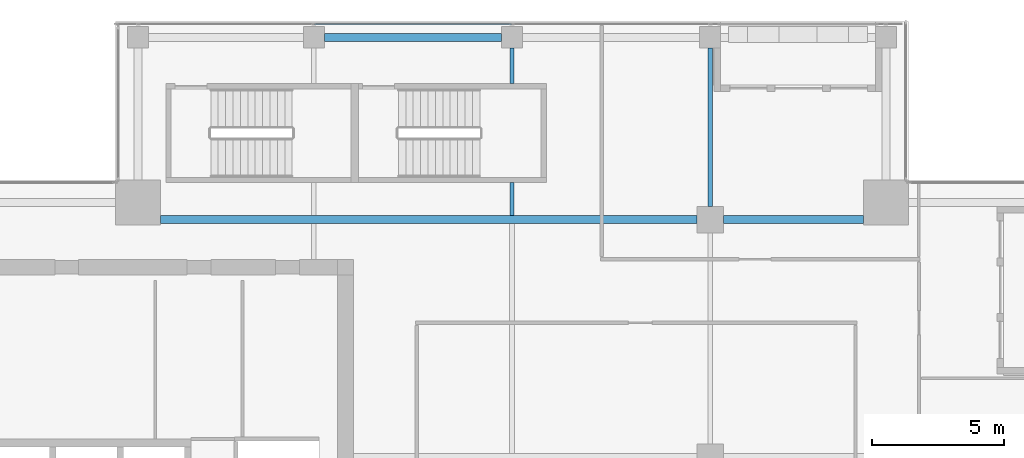
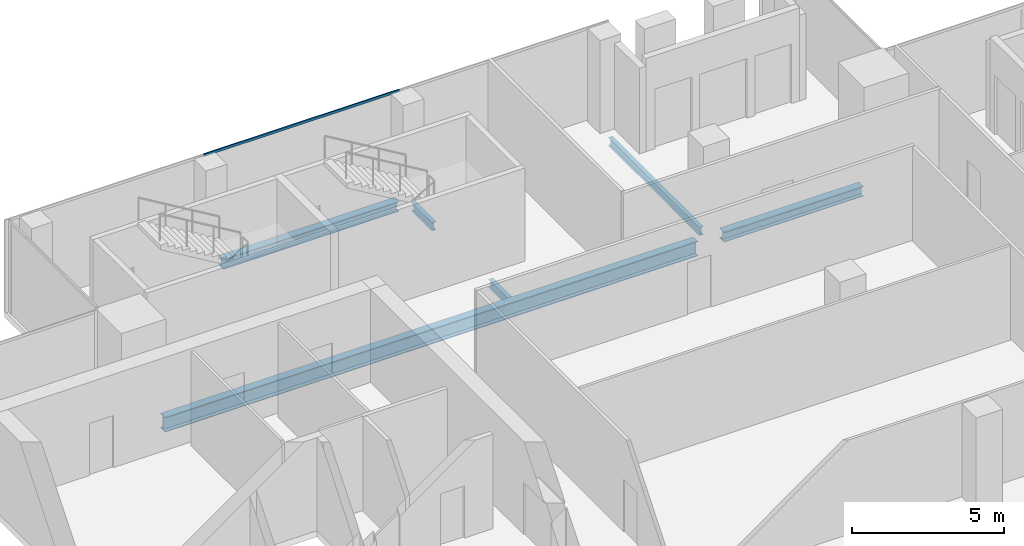
# One storey, part 14 of 28: 6 beams, 1 member, 1 element without a shape of its own.
"""IFC4 building model written with IfcOpenShell, lengths in metres."""

from ifc_helpers import new_model, si_unit, direction, frame, origin, origin_2d, place, context, subcontext, project, spatial, hollow_rectangle, i_section, extrude, source, transform, mapped, material, material_profile, profile_set, type_object, element, aggregate, save


model = new_model("IFC4")

# Units and contexts
model_context = context("Model", 3, precision=1e-05, world=origin(), true_north=direction((0.0, 1.0)))
body_context = subcontext(model_context, "Body", "Model", "MODEL_VIEW")
ifc_project = project(units=[si_unit("LENGTHUNIT", "METRE"), si_unit("AREAUNIT", "SQUARE_METRE"), si_unit("VOLUMEUNIT", "CUBIC_METRE"), si_unit("PLANEANGLEUNIT", "RADIAN"), si_unit("MASSUNIT", "GRAM", prefix="KILO")], contexts=[model_context])

# Site, building, storey
site_placement = place(None, origin())
site = spatial("IfcSite", under=ifc_project, at=site_placement, CompositionType="ELEMENT")
building_placement = place(site_placement, origin())
building = spatial("IfcBuilding", under=site, at=building_placement, Name="Khomas Fold Tower", CompositionType="ELEMENT")
storey_placement = place(building_placement, frame((0.0, 0.0, 302.199951171875)))
storey = spatial("IfcBuildingStorey", under=building, at=storey_placement, Name="L68", CompositionType="ELEMENT", Elevation=302.199951171875)

# Beams
ifc_material_1 = material(Name="Steel S355", Category="steel")
ifc_material_profile_1 = material_profile(ifc_material_1, i_section(OverallWidth=0.159912109375, OverallDepth=0.330078125, WebThickness=0.007568359375, FlangeThickness=0.011474609375, at=origin_2d()), Name="IPE 330")
ifc_profile_set_1 = profile_set([ifc_material_profile_1], Name="Steel S355")
beam_type_1 = type_object("IfcBeamType", Name="IPE 330 beam JB1", PredefinedType="BEAM", material=ifc_profile_set_1)
shared_shape_1 = source(origin(), body_context, "Body", "SweptSolid", [
    extrude(i_section(OverallWidth=0.159912109375, OverallDepth=0.330078125, WebThickness=0.007568359375, FlangeThickness=0.011474609375, at=origin_2d()), origin(), (0.0, 0.0, 1.0), 1.25),
])
beam_1_placement = place(storey_placement, frame((27.0, 40.64990234375, -0.4150390625), z_axis=(0.0, 1.0, 0.0), x_axis=(-1.0, 0.0, 0.0)))
element("IfcBeam", 1, at=beam_1_placement, inside=storey, type_object=beam_type_1, Name="JB1", PredefinedType="BEAM", context=body_context, shape_type="MappedRepresentation", body=[
    mapped(shared_shape_1, transform((0.0, 0.0, 0.0))),
])
shared_shape_2 = source(origin(), body_context, "Body", "SweptSolid", [
    extrude(i_section(OverallWidth=0.159912109375, OverallDepth=0.330078125, WebThickness=0.007568359375, FlangeThickness=0.011474609375, at=origin_2d()), origin(), (0.0, 0.0, 1.0), 1.35009765625),
])
beam_2_placement = place(storey_placement, frame((27.0, 45.64990234375, -0.4150390625), z_axis=(0.0, 1.0, 0.0), x_axis=(-1.0, 0.0, 0.0)))
element("IfcBeam", 2, at=beam_2_placement, inside=storey, type_object=beam_type_1, Name="JB1", PredefinedType="BEAM", context=body_context, shape_type="MappedRepresentation", body=[
    mapped(shared_shape_2, transform((0.0, 0.0, 0.0))),
])
ifc_material_2 = material(Name="Steel S355", Category="steel")
ifc_material_profile_2 = material_profile(ifc_material_2, i_section(OverallWidth=0.300048828125, OverallDepth=0.39990234375, WebThickness=0.013427734375, FlangeThickness=0.02392578125, at=origin_2d()), Name="HE 400 B")
ifc_profile_set_2 = profile_set([ifc_material_profile_2], Name="Steel S355")
beam_type_2 = type_object("IfcBeamType", Name="HE 400 B spandrel SB5", PredefinedType="SPANDREL", material=ifc_profile_set_2)
shared_shape_3 = source(origin(), body_context, "Body", "SweptSolid", [
    extrude(i_section(OverallWidth=0.300048828125, OverallDepth=0.39990234375, WebThickness=0.013427734375, FlangeThickness=0.02392578125, at=origin_2d()), origin(), (0.0, 0.0, 1.0), 6.7001953125),
])
beam_3_placement = place(storey_placement, frame((19.89990234375, 47.39990234375, -0.449951171875), z_axis=(1.0, 0.0, 0.0), x_axis=(0.0, 1.0, 0.0)))
element("IfcBeam", 3, at=beam_3_placement, inside=storey, type_object=beam_type_2, Name="SB5", PredefinedType="SPANDREL", context=body_context, shape_type="MappedRepresentation", body=[
    mapped(shared_shape_3, transform((0.0, 0.0, 0.0))),
])
ifc_material_3 = material(Name="Steel S355", Category="steel")
ifc_material_profile_3 = material_profile(ifc_material_3, i_section(OverallWidth=0.300048828125, OverallDepth=0.60009765625, WebThickness=0.015380859375, FlangeThickness=0.030029296875, at=origin_2d()), Name="HE 600 B")
ifc_profile_set_3 = profile_set([ifc_material_profile_3], Name="Steel S355")
beam_type_3 = type_object("IfcBeamType", Name="HE 600 B beam GB5", PredefinedType="BEAM", material=ifc_profile_set_3)
shared_shape_4 = source(origin(), body_context, "Body", "SweptSolid", [
    extrude(i_section(OverallWidth=0.300048828125, OverallDepth=0.60009765625, WebThickness=0.015380859375, FlangeThickness=0.030029296875, at=origin_2d()), origin(), (0.0, 0.0, 1.0), 20.300048828125),
])
beam_4_placement = place(storey_placement, frame((13.699951171875, 40.5, -0.550048828125), z_axis=(1.0, 0.0, 0.0), x_axis=(0.0, 1.0, 0.0)))
element("IfcBeam", 4, at=beam_4_placement, inside=storey, type_object=beam_type_3, Name="GB5", PredefinedType="BEAM", context=body_context, shape_type="MappedRepresentation", body=[
    mapped(shared_shape_4, transform((0.0, 0.0, 0.0))),
])
ifc_material_4 = material(Name="Steel S355", Category="steel")
ifc_material_profile_4 = material_profile(ifc_material_4, i_section(OverallWidth=0.300048828125, OverallDepth=0.39990234375, WebThickness=0.013427734375, FlangeThickness=0.02392578125, at=origin_2d()), Name="HE 400 B")
ifc_profile_set_4 = profile_set([ifc_material_profile_4], Name="Steel S355")
beam_type_4 = type_object("IfcBeamType", Name="HE 400 B beam GB1", PredefinedType="BEAM", material=ifc_profile_set_4)
shared_shape_5 = source(origin(), body_context, "Body", "SweptSolid", [
    extrude(i_section(OverallWidth=0.300048828125, OverallDepth=0.39990234375, WebThickness=0.013427734375, FlangeThickness=0.02392578125, at=origin_2d()), origin(), (0.0, 0.0, 1.0), 5.300048828125),
])
beam_5_placement = place(storey_placement, frame((35.0, 40.5, -0.449951171875), z_axis=(1.0, 0.0, 0.0), x_axis=(0.0, 1.0, 0.0)))
element("IfcBeam", 5, at=beam_5_placement, inside=storey, type_object=beam_type_4, Name="GB1", PredefinedType="BEAM", context=body_context, shape_type="MappedRepresentation", body=[
    mapped(shared_shape_5, transform((0.0, 0.0, 0.0))),
])
shared_shape_6 = source(origin(), body_context, "Body", "SweptSolid", [
    extrude(i_section(OverallWidth=0.159912109375, OverallDepth=0.330078125, WebThickness=0.007568359375, FlangeThickness=0.011474609375, at=origin_2d()), origin(), (0.0, 0.0, 1.0), 6.0),
])
beam_6_placement = place(storey_placement, frame((34.5, 41.0, -0.4150390625), z_axis=(0.0, 1.0, 0.0), x_axis=(-1.0, 0.0, 0.0)))
element("IfcBeam", 6, at=beam_6_placement, inside=storey, type_object=beam_type_1, Name="JB1", PredefinedType="BEAM", context=body_context, shape_type="MappedRepresentation", body=[
    mapped(shared_shape_6, transform((0.0, 0.0, 0.0))),
])

# Curtain wall, member
ifc_material_5 = material(Name="Aluminium framed double glazing", Category="aluminium")
curtain_wall_type = type_object("IfcCurtainWallType", Name="SK-Unitised clear-glass wall, upper floors CW3", PredefinedType="NOTDEFINED", material=ifc_material_5)
curtain_wall_placement = place(storey_placement, origin())
curtain_wall = element("IfcCurtainWall", 7, at=curtain_wall_placement, inside=storey, type_object=curtain_wall_type, Name="CW3 run L68 06-1", PredefinedType="NOTDEFINED")
ifc_material_6 = material(Name="Aluminium", Category="aluminium")
ifc_material_profile_5 = material_profile(ifc_material_6, hollow_rectangle(XDim=0.050048828125, YDim=0.10009765625, WallThickness=0.00390625, at=origin_2d()), Name="SK-Unitised clear-glass wall, upper floors transom CW3-T")
ifc_profile_set_5 = profile_set([ifc_material_profile_5], Name="Aluminium")
member_type = type_object("IfcMemberType", Name="SK-Unitised clear-glass wall, upper floors transom CW3-T", PredefinedType="USERDEFINED", material=ifc_profile_set_5)
shared_shape_7 = source(origin(), body_context, "Body", "SweptSolid", [
    extrude(hollow_rectangle(XDim=0.050048828125, YDim=0.10009765625, WallThickness=0.00390625, at=origin_2d()), origin(), (0.0, 0.0, 1.0), 7.4501953125),
])
member_placement = place(storey_placement, frame((26.97509765625, 47.89990234375, 3.699951171875), z_axis=(-1.0, 0.0, 0.0), x_axis=(0.0, -1.0, 0.0)))
member = element("IfcMember", 8, at=member_placement, type_object=member_type, Name="CW3 transom 3", ObjectType="TRANSOM", PredefinedType="USERDEFINED", context=body_context, shape_type="MappedRepresentation", body=[
    mapped(shared_shape_7, transform((0.0, 0.0, 0.0))),
])
aggregate(curtain_wall, [member])

save(model, "model.ifc")
